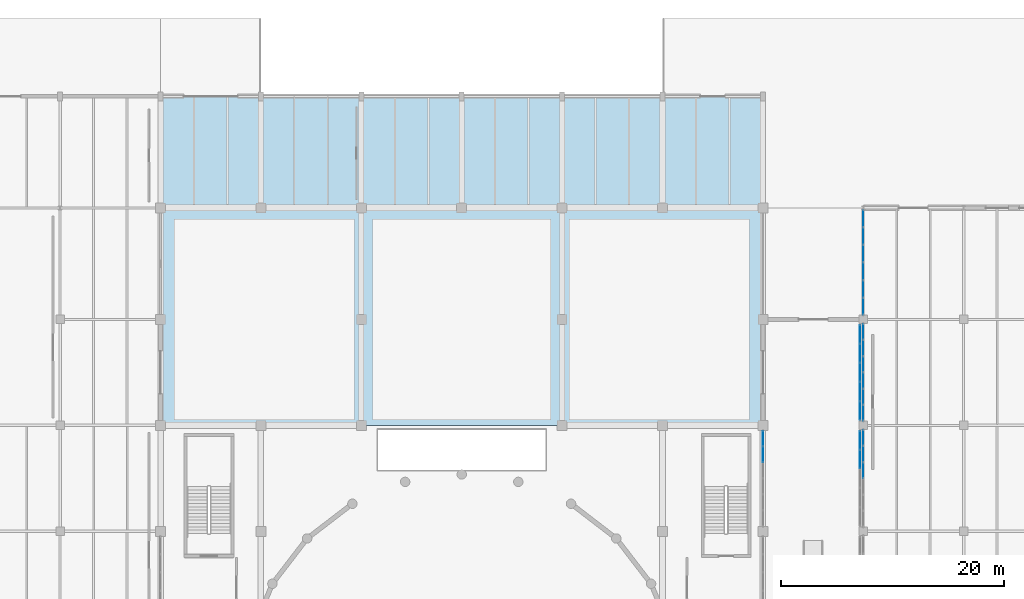
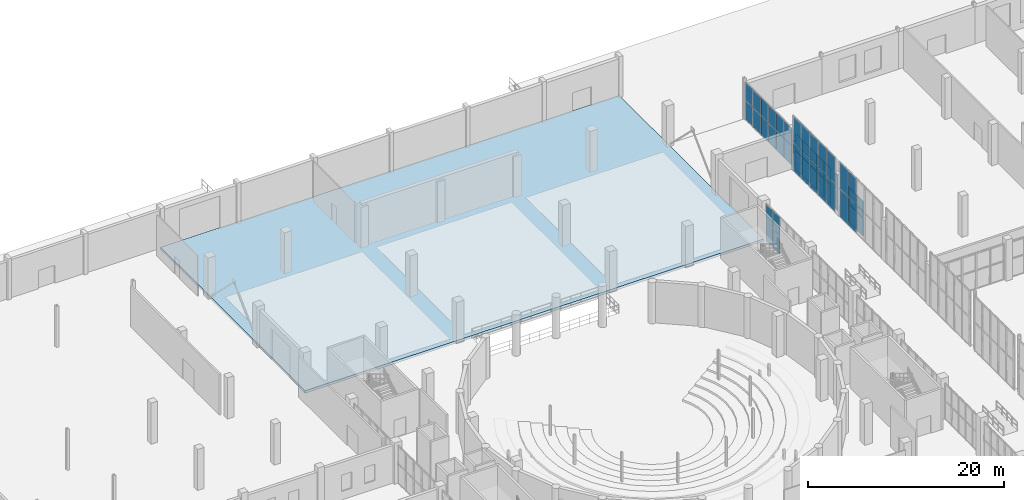
# One storey, part 74 of 103: 48 plates, 1 slab, 6 elements without a shape of their own.
"""IFC4 building model written with IfcOpenShell, lengths in metres."""

from ifc_helpers import new_model, si_unit, direction, frame, origin, origin_2d, place, context, subcontext, project, spatial, polyline, rectangle, outline, extrude, material, layer, layer_set, type_object, element, aggregate, save


model = new_model("IFC4")

# Units and contexts
model_context = context("Model", 3, precision=1e-05, world=origin(), true_north=direction((0.0, 1.0)))
body_context = subcontext(model_context, "Body", "Model", "MODEL_VIEW")
ifc_project = project(units=[si_unit("LENGTHUNIT", "METRE"), si_unit("AREAUNIT", "SQUARE_METRE"), si_unit("VOLUMEUNIT", "CUBIC_METRE"), si_unit("PLANEANGLEUNIT", "RADIAN"), si_unit("MASSUNIT", "GRAM", prefix="KILO")], contexts=[model_context])

# Site, building, storey
site_placement = place(None, origin())
site = spatial("IfcSite", under=ifc_project, at=site_placement, CompositionType="ELEMENT")
building_placement = place(site_placement, origin())
building = spatial("IfcBuilding", under=site, at=building_placement, Name="Marnock Terrace Opera House", CompositionType="ELEMENT")
storey_placement = place(building_placement, origin())
storey = spatial("IfcBuildingStorey", under=building, at=storey_placement, Name="L00", CompositionType="ELEMENT", Elevation=0.0)

# Curtain wall, plates
ifc_material_1 = material(Name="Anodised architectural bronze aluminium framing", Category="aluminium")
ifc_layer_1 = layer(ifc_material_1, 0.159912109375)
ifc_layer_set_1 = layer_set([ifc_layer_1], Name="Anodised architectural bronze aluminium framing")
curtain_wall_type_1 = type_object("IfcCurtainWallType", Name="CW-FOYER-90x51", PredefinedType="NOTDEFINED", material=ifc_layer_set_1)
curtain_wall_1_placement = place(storey_placement, origin())
curtain_wall_1 = element("IfcCurtainWall", 1, at=curtain_wall_1_placement, inside=storey, type_object=curtain_wall_type_1, Name="L00 glazed Beaux-Arts colonnade curtain wall CW-V1E-L00-09", PredefinedType="NOTDEFINED")
ifc_material_2 = material(Name="Double-glazed acoustic low-E laminated glass", Category="glass")
ifc_layer_2 = layer(ifc_material_2, 0.028076171875)
ifc_layer_set_2 = layer_set([ifc_layer_2], Name="Double-glazed acoustic low-E laminated glass")
plate_type = type_object("IfcPlateType", Name="CWP-GLZ-28", PredefinedType="CURTAIN_PANEL", material=ifc_layer_set_2)
plate_1_placement = place(storey_placement, frame((109.0, 81.902099609375, 0.06005859375), z_axis=(0.0, 0.0, 1.0), x_axis=(0.0, 1.0, 0.0)))
plate_1 = element("IfcPlate", 2, at=plate_1_placement, type_object=plate_type, Name="CW-31 panel 5.1", PredefinedType="CURTAIN_PANEL", context=body_context, shape_type="SweptSolid", body=[
    extrude(rectangle(XDim=1.374755859375, YDim=0.028076171875, at=origin_2d()), origin(), (0.0, 0.0, 1.0), 2.371826171875),
])
plate_2_placement = place(storey_placement, frame((109.0, 81.902099609375, 2.491943359375), z_axis=(0.0, 0.0, 1.0), x_axis=(0.0, 1.0, 0.0)))
plate_2 = element("IfcPlate", 3, at=plate_2_placement, type_object=plate_type, Name="CW-31 panel 5.2", PredefinedType="CURTAIN_PANEL", context=body_context, shape_type="SweptSolid", body=[
    extrude(rectangle(XDim=1.374755859375, YDim=0.028076171875, at=origin_2d()), origin(), (0.0, 0.0, 1.0), 2.1826171875),
])
plate_3_placement = place(storey_placement, frame((109.0, 83.32177734375, 0.06005859375), z_axis=(0.0, 0.0, 1.0), x_axis=(0.0, 1.0, 0.0)))
plate_3 = element("IfcPlate", 4, at=plate_3_placement, type_object=plate_type, Name="CW-31 panel 6.1", PredefinedType="CURTAIN_PANEL", context=body_context, shape_type="SweptSolid", body=[
    extrude(rectangle(XDim=1.3447265625, YDim=0.028076171875, at=origin_2d()), origin(), (0.0, 0.0, 1.0), 2.371826171875),
])
plate_4_placement = place(storey_placement, frame((109.0, 83.32177734375, 2.491943359375), z_axis=(0.0, 0.0, 1.0), x_axis=(0.0, 1.0, 0.0)))
plate_4 = element("IfcPlate", 5, at=plate_4_placement, type_object=plate_type, Name="CW-31 panel 6.2", PredefinedType="CURTAIN_PANEL", context=body_context, shape_type="SweptSolid", body=[
    extrude(rectangle(XDim=1.3447265625, YDim=0.028076171875, at=origin_2d()), origin(), (0.0, 0.0, 1.0), 2.1826171875),
])
aggregate(curtain_wall_1, [plate_1, plate_2, plate_3, plate_4])

ifc_layer_3 = layer(ifc_material_1, 0.159912109375)
ifc_layer_set_3 = layer_set([ifc_layer_3], Name="Anodised architectural bronze aluminium framing")
curtain_wall_type_2 = type_object("IfcCurtainWallType", Name="CW-FOYER-95x51", PredefinedType="NOTDEFINED", material=ifc_layer_set_3)
curtain_wall_2_placement = place(storey_placement, origin())
curtain_wall_2 = element("IfcCurtainWall", 6, at=curtain_wall_2_placement, inside=storey, type_object=curtain_wall_type_2, Name="L00 glazed Beaux-Arts colonnade curtain wall CW-V5-L00-W6", PredefinedType="NOTDEFINED")
plate_5_placement = place(storey_placement, frame((118.0, 80.479736328125, 0.06005859375), z_axis=(0.0, 0.0, 1.0), x_axis=(0.0, 1.0, 0.0)))
plate_5 = element("IfcPlate", 7, at=plate_5_placement, type_object=plate_type, Name="CW-24 panel 4.1", PredefinedType="CURTAIN_PANEL", context=body_context, shape_type="SweptSolid", body=[
    extrude(rectangle(XDim=1.399658203125, YDim=0.028076171875, at=origin_2d()), origin(), (0.0, 0.0, 1.0), 2.243896484375),
])
plate_6_placement = place(storey_placement, frame((118.0, 80.479736328125, 2.36376953125), z_axis=(0.0, 0.0, 1.0), x_axis=(0.0, 1.0, 0.0)))
plate_6 = element("IfcPlate", 8, at=plate_6_placement, type_object=plate_type, Name="CW-24 panel 4.2", PredefinedType="CURTAIN_PANEL", context=body_context, shape_type="SweptSolid", body=[
    extrude(rectangle(XDim=1.399658203125, YDim=0.028076171875, at=origin_2d()), origin(), (0.0, 0.0, 1.0), 2.064208984375),
])
plate_7_placement = place(storey_placement, frame((118.0, 81.939453125, 0.06005859375), z_axis=(0.0, 0.0, 1.0), x_axis=(0.0, 1.0, 0.0)))
plate_7 = element("IfcPlate", 9, at=plate_7_placement, type_object=plate_type, Name="CW-24 panel 5.1", PredefinedType="CURTAIN_PANEL", context=body_context, shape_type="SweptSolid", body=[
    extrude(rectangle(XDim=1.399658203125, YDim=0.028076171875, at=origin_2d()), origin(), (0.0, 0.0, 1.0), 2.243896484375),
])
plate_8_placement = place(storey_placement, frame((118.0, 81.939453125, 2.36376953125), z_axis=(0.0, 0.0, 1.0), x_axis=(0.0, 1.0, 0.0)))
plate_8 = element("IfcPlate", 10, at=plate_8_placement, type_object=plate_type, Name="CW-24 panel 5.2", PredefinedType="CURTAIN_PANEL", context=body_context, shape_type="SweptSolid", body=[
    extrude(rectangle(XDim=1.399658203125, YDim=0.028076171875, at=origin_2d()), origin(), (0.0, 0.0, 1.0), 2.064208984375),
])
plate_9_placement = place(storey_placement, frame((118.0, 83.38427734375, 0.06005859375), z_axis=(0.0, 0.0, 1.0), x_axis=(0.0, 1.0, 0.0)))
plate_9 = element("IfcPlate", 11, at=plate_9_placement, type_object=plate_type, Name="CW-24 panel 6.1", PredefinedType="CURTAIN_PANEL", context=body_context, shape_type="SweptSolid", body=[
    extrude(rectangle(XDim=1.36962890625, YDim=0.028076171875, at=origin_2d()), origin(), (0.0, 0.0, 1.0), 2.243896484375),
])
plate_10_placement = place(storey_placement, frame((118.0, 83.38427734375, 2.36376953125), z_axis=(0.0, 0.0, 1.0), x_axis=(0.0, 1.0, 0.0)))
plate_10 = element("IfcPlate", 12, at=plate_10_placement, type_object=plate_type, Name="CW-24 panel 6.2", PredefinedType="CURTAIN_PANEL", context=body_context, shape_type="SweptSolid", body=[
    extrude(rectangle(XDim=1.36962890625, YDim=0.028076171875, at=origin_2d()), origin(), (0.0, 0.0, 1.0), 2.064208984375),
])
aggregate(curtain_wall_2, [plate_5, plate_6, plate_7, plate_8, plate_9, plate_10])

curtain_wall_3_placement = place(storey_placement, origin())
curtain_wall_3 = element("IfcCurtainWall", 13, at=curtain_wall_3_placement, inside=storey, type_object=curtain_wall_type_2, Name="L00 glazed Beaux-Arts colonnade curtain wall CW-V5-L00-W7", PredefinedType="NOTDEFINED")
plate_11_placement = place(storey_placement, frame((118.0, 85.61572265625, 0.06005859375), z_axis=(0.0, 0.0, 1.0), x_axis=(0.0, 1.0, 0.0)))
plate_11 = element("IfcPlate", 14, at=plate_11_placement, type_object=plate_type, Name="CW-24 panel 1.1", PredefinedType="CURTAIN_PANEL", context=body_context, shape_type="SweptSolid", body=[
    extrude(rectangle(XDim=1.36962890625, YDim=0.028076171875, at=origin_2d()), origin(), (0.0, 0.0, 1.0), 2.2822265625),
])
plate_12_placement = place(storey_placement, frame((118.0, 85.61572265625, 2.40234375), z_axis=(0.0, 0.0, 1.0), x_axis=(0.0, 1.0, 0.0)))
plate_12 = element("IfcPlate", 15, at=plate_12_placement, type_object=plate_type, Name="CW-24 panel 1.2", PredefinedType="CURTAIN_PANEL", context=body_context, shape_type="SweptSolid", body=[
    extrude(rectangle(XDim=1.36962890625, YDim=0.028076171875, at=origin_2d()), origin(), (0.0, 0.0, 1.0), 2.099853515625),
])
plate_13_placement = place(storey_placement, frame((118.0, 87.060546875, 0.06005859375), z_axis=(0.0, 0.0, 1.0), x_axis=(0.0, 1.0, 0.0)))
plate_13 = element("IfcPlate", 16, at=plate_13_placement, type_object=plate_type, Name="CW-24 panel 2.1", PredefinedType="CURTAIN_PANEL", context=body_context, shape_type="SweptSolid", body=[
    extrude(rectangle(XDim=1.399658203125, YDim=0.028076171875, at=origin_2d()), origin(), (0.0, 0.0, 1.0), 2.2822265625),
])
plate_14_placement = place(storey_placement, frame((118.0, 87.060546875, 2.40234375), z_axis=(0.0, 0.0, 1.0), x_axis=(0.0, 1.0, 0.0)))
plate_14 = element("IfcPlate", 17, at=plate_14_placement, type_object=plate_type, Name="CW-24 panel 2.2", PredefinedType="CURTAIN_PANEL", context=body_context, shape_type="SweptSolid", body=[
    extrude(rectangle(XDim=1.399658203125, YDim=0.028076171875, at=origin_2d()), origin(), (0.0, 0.0, 1.0), 2.099853515625),
])
plate_15_placement = place(storey_placement, frame((118.0, 88.520263671875, 0.06005859375), z_axis=(0.0, 0.0, 1.0), x_axis=(0.0, 1.0, 0.0)))
plate_15 = element("IfcPlate", 18, at=plate_15_placement, type_object=plate_type, Name="CW-24 panel 3.1", PredefinedType="CURTAIN_PANEL", context=body_context, shape_type="SweptSolid", body=[
    extrude(rectangle(XDim=1.399658203125, YDim=0.028076171875, at=origin_2d()), origin(), (0.0, 0.0, 1.0), 2.2822265625),
])
plate_16_placement = place(storey_placement, frame((118.0, 88.520263671875, 2.40234375), z_axis=(0.0, 0.0, 1.0), x_axis=(0.0, 1.0, 0.0)))
plate_16 = element("IfcPlate", 19, at=plate_16_placement, type_object=plate_type, Name="CW-24 panel 3.2", PredefinedType="CURTAIN_PANEL", context=body_context, shape_type="SweptSolid", body=[
    extrude(rectangle(XDim=1.399658203125, YDim=0.028076171875, at=origin_2d()), origin(), (0.0, 0.0, 1.0), 2.099853515625),
])
plate_17_placement = place(storey_placement, frame((118.0, 89.979736328125, 0.06005859375), z_axis=(0.0, 0.0, 1.0), x_axis=(0.0, 1.0, 0.0)))
plate_17 = element("IfcPlate", 20, at=plate_17_placement, type_object=plate_type, Name="CW-24 panel 4.1", PredefinedType="CURTAIN_PANEL", context=body_context, shape_type="SweptSolid", body=[
    extrude(rectangle(XDim=1.399658203125, YDim=0.028076171875, at=origin_2d()), origin(), (0.0, 0.0, 1.0), 2.2822265625),
])
plate_18_placement = place(storey_placement, frame((118.0, 89.979736328125, 2.40234375), z_axis=(0.0, 0.0, 1.0), x_axis=(0.0, 1.0, 0.0)))
plate_18 = element("IfcPlate", 21, at=plate_18_placement, type_object=plate_type, Name="CW-24 panel 4.2", PredefinedType="CURTAIN_PANEL", context=body_context, shape_type="SweptSolid", body=[
    extrude(rectangle(XDim=1.399658203125, YDim=0.028076171875, at=origin_2d()), origin(), (0.0, 0.0, 1.0), 2.099853515625),
])
plate_19_placement = place(storey_placement, frame((118.0, 91.439453125, 0.06005859375), z_axis=(0.0, 0.0, 1.0), x_axis=(0.0, 1.0, 0.0)))
plate_19 = element("IfcPlate", 22, at=plate_19_placement, type_object=plate_type, Name="CW-24 panel 5.1", PredefinedType="CURTAIN_PANEL", context=body_context, shape_type="SweptSolid", body=[
    extrude(rectangle(XDim=1.399658203125, YDim=0.028076171875, at=origin_2d()), origin(), (0.0, 0.0, 1.0), 2.2822265625),
])
plate_20_placement = place(storey_placement, frame((118.0, 91.439453125, 2.40234375), z_axis=(0.0, 0.0, 1.0), x_axis=(0.0, 1.0, 0.0)))
plate_20 = element("IfcPlate", 23, at=plate_20_placement, type_object=plate_type, Name="CW-24 panel 5.2", PredefinedType="CURTAIN_PANEL", context=body_context, shape_type="SweptSolid", body=[
    extrude(rectangle(XDim=1.399658203125, YDim=0.028076171875, at=origin_2d()), origin(), (0.0, 0.0, 1.0), 2.099853515625),
])
plate_21_placement = place(storey_placement, frame((118.0, 92.88427734375, 0.06005859375), z_axis=(0.0, 0.0, 1.0), x_axis=(0.0, 1.0, 0.0)))
plate_21 = element("IfcPlate", 24, at=plate_21_placement, type_object=plate_type, Name="CW-24 panel 6.1", PredefinedType="CURTAIN_PANEL", context=body_context, shape_type="SweptSolid", body=[
    extrude(rectangle(XDim=1.36962890625, YDim=0.028076171875, at=origin_2d()), origin(), (0.0, 0.0, 1.0), 2.2822265625),
])
plate_22_placement = place(storey_placement, frame((118.0, 92.88427734375, 2.40234375), z_axis=(0.0, 0.0, 1.0), x_axis=(0.0, 1.0, 0.0)))
plate_22 = element("IfcPlate", 25, at=plate_22_placement, type_object=plate_type, Name="CW-24 panel 6.2", PredefinedType="CURTAIN_PANEL", context=body_context, shape_type="SweptSolid", body=[
    extrude(rectangle(XDim=1.36962890625, YDim=0.028076171875, at=origin_2d()), origin(), (0.0, 0.0, 1.0), 2.099853515625),
])
aggregate(curtain_wall_3, [plate_11, plate_12, plate_13, plate_14, plate_15, plate_16, plate_17, plate_18, plate_19, plate_20, plate_21, plate_22])

curtain_wall_4_placement = place(storey_placement, origin())
curtain_wall_4 = element("IfcCurtainWall", 26, at=curtain_wall_4_placement, inside=storey, type_object=curtain_wall_type_2, Name="L00 glazed Beaux-Arts colonnade curtain wall CW-V5-L00-W8", PredefinedType="NOTDEFINED")
plate_23_placement = place(storey_placement, frame((118.0, 95.175048828125, 0.06005859375), z_axis=(0.0, 0.0, 1.0), x_axis=(0.0, 1.0, 0.0)))
plate_23 = element("IfcPlate", 27, at=plate_23_placement, type_object=plate_type, Name="CW-24 panel 1.1", PredefinedType="CURTAIN_PANEL", context=body_context, shape_type="SweptSolid", body=[
    extrude(rectangle(XDim=1.48828125, YDim=0.028076171875, at=origin_2d()), origin(), (0.0, 0.0, 1.0), 2.371826171875),
])
plate_24_placement = place(storey_placement, frame((118.0, 95.175048828125, 2.491943359375), z_axis=(0.0, 0.0, 1.0), x_axis=(0.0, 1.0, 0.0)))
plate_24 = element("IfcPlate", 28, at=plate_24_placement, type_object=plate_type, Name="CW-24 panel 1.2", PredefinedType="CURTAIN_PANEL", context=body_context, shape_type="SweptSolid", body=[
    extrude(rectangle(XDim=1.48828125, YDim=0.028076171875, at=origin_2d()), origin(), (0.0, 0.0, 1.0), 2.1826171875),
])
plate_25_placement = place(storey_placement, frame((118.0, 96.73828125, 0.06005859375), z_axis=(0.0, 0.0, 1.0), x_axis=(0.0, 1.0, 0.0)))
plate_25 = element("IfcPlate", 29, at=plate_25_placement, type_object=plate_type, Name="CW-24 panel 2.1", PredefinedType="CURTAIN_PANEL", context=body_context, shape_type="SweptSolid", body=[
    extrude(rectangle(XDim=1.518310546875, YDim=0.028076171875, at=origin_2d()), origin(), (0.0, 0.0, 1.0), 2.371826171875),
])
plate_26_placement = place(storey_placement, frame((118.0, 96.73828125, 2.491943359375), z_axis=(0.0, 0.0, 1.0), x_axis=(0.0, 1.0, 0.0)))
plate_26 = element("IfcPlate", 30, at=plate_26_placement, type_object=plate_type, Name="CW-24 panel 2.2", PredefinedType="CURTAIN_PANEL", context=body_context, shape_type="SweptSolid", body=[
    extrude(rectangle(XDim=1.518310546875, YDim=0.028076171875, at=origin_2d()), origin(), (0.0, 0.0, 1.0), 2.1826171875),
])
plate_27_placement = place(storey_placement, frame((118.0, 98.316650390625, 0.06005859375), z_axis=(0.0, 0.0, 1.0), x_axis=(0.0, 1.0, 0.0)))
plate_27 = element("IfcPlate", 31, at=plate_27_placement, type_object=plate_type, Name="CW-24 panel 3.1", PredefinedType="CURTAIN_PANEL", context=body_context, shape_type="SweptSolid", body=[
    extrude(rectangle(XDim=1.518310546875, YDim=0.028076171875, at=origin_2d()), origin(), (0.0, 0.0, 1.0), 2.371826171875),
])
plate_28_placement = place(storey_placement, frame((118.0, 98.316650390625, 2.491943359375), z_axis=(0.0, 0.0, 1.0), x_axis=(0.0, 1.0, 0.0)))
plate_28 = element("IfcPlate", 32, at=plate_28_placement, type_object=plate_type, Name="CW-24 panel 3.2", PredefinedType="CURTAIN_PANEL", context=body_context, shape_type="SweptSolid", body=[
    extrude(rectangle(XDim=1.518310546875, YDim=0.028076171875, at=origin_2d()), origin(), (0.0, 0.0, 1.0), 2.1826171875),
])
plate_29_placement = place(storey_placement, frame((118.0, 99.894775390625, 0.06005859375), z_axis=(0.0, 0.0, 1.0), x_axis=(0.0, 1.0, 0.0)))
plate_29 = element("IfcPlate", 33, at=plate_29_placement, type_object=plate_type, Name="CW-24 panel 4.1", PredefinedType="CURTAIN_PANEL", context=body_context, shape_type="SweptSolid", body=[
    extrude(rectangle(XDim=1.518310546875, YDim=0.028076171875, at=origin_2d()), origin(), (0.0, 0.0, 1.0), 2.371826171875),
])
plate_30_placement = place(storey_placement, frame((118.0, 99.894775390625, 2.491943359375), z_axis=(0.0, 0.0, 1.0), x_axis=(0.0, 1.0, 0.0)))
plate_30 = element("IfcPlate", 34, at=plate_30_placement, type_object=plate_type, Name="CW-24 panel 4.2", PredefinedType="CURTAIN_PANEL", context=body_context, shape_type="SweptSolid", body=[
    extrude(rectangle(XDim=1.518310546875, YDim=0.028076171875, at=origin_2d()), origin(), (0.0, 0.0, 1.0), 2.1826171875),
])
plate_31_placement = place(storey_placement, frame((118.0, 101.47314453125, 0.06005859375), z_axis=(0.0, 0.0, 1.0), x_axis=(0.0, 1.0, 0.0)))
plate_31 = element("IfcPlate", 35, at=plate_31_placement, type_object=plate_type, Name="CW-24 panel 5.1", PredefinedType="CURTAIN_PANEL", context=body_context, shape_type="SweptSolid", body=[
    extrude(rectangle(XDim=1.518310546875, YDim=0.028076171875, at=origin_2d()), origin(), (0.0, 0.0, 1.0), 2.371826171875),
])
plate_32_placement = place(storey_placement, frame((118.0, 101.47314453125, 2.491943359375), z_axis=(0.0, 0.0, 1.0), x_axis=(0.0, 1.0, 0.0)))
plate_32 = element("IfcPlate", 36, at=plate_32_placement, type_object=plate_type, Name="CW-24 panel 5.2", PredefinedType="CURTAIN_PANEL", context=body_context, shape_type="SweptSolid", body=[
    extrude(rectangle(XDim=1.518310546875, YDim=0.028076171875, at=origin_2d()), origin(), (0.0, 0.0, 1.0), 2.1826171875),
])
plate_33_placement = place(storey_placement, frame((118.0, 103.036376953125, 0.06005859375), z_axis=(0.0, 0.0, 1.0), x_axis=(0.0, 1.0, 0.0)))
plate_33 = element("IfcPlate", 37, at=plate_33_placement, type_object=plate_type, Name="CW-24 panel 6.1", PredefinedType="CURTAIN_PANEL", context=body_context, shape_type="SweptSolid", body=[
    extrude(rectangle(XDim=1.48828125, YDim=0.028076171875, at=origin_2d()), origin(), (0.0, 0.0, 1.0), 2.371826171875),
])
plate_34_placement = place(storey_placement, frame((118.0, 103.036376953125, 2.491943359375), z_axis=(0.0, 0.0, 1.0), x_axis=(0.0, 1.0, 0.0)))
plate_34 = element("IfcPlate", 38, at=plate_34_placement, type_object=plate_type, Name="CW-24 panel 6.2", PredefinedType="CURTAIN_PANEL", context=body_context, shape_type="SweptSolid", body=[
    extrude(rectangle(XDim=1.48828125, YDim=0.028076171875, at=origin_2d()), origin(), (0.0, 0.0, 1.0), 2.1826171875),
])
aggregate(curtain_wall_4, [plate_23, plate_24, plate_25, plate_26, plate_27, plate_28, plate_29, plate_30, plate_31, plate_32, plate_33, plate_34])

ifc_layer_4 = layer(ifc_material_1, 0.159912109375)
ifc_layer_set_4 = layer_set([ifc_layer_4], Name="Anodised architectural bronze aluminium framing")
curtain_wall_type_3 = type_object("IfcCurtainWallType", Name="CW-PASSAGE-81x68", PredefinedType="NOTDEFINED", material=ifc_layer_set_4)
curtain_wall_5_placement = place(storey_placement, origin())
curtain_wall_5 = element("IfcCurtainWall", 39, at=curtain_wall_5_placement, inside=storey, type_object=curtain_wall_type_3, Name="L00 glazed Beaux-Arts colonnade curtain wall CW-PASSAGE-L00-09", PredefinedType="NOTDEFINED")
plate_35_placement = place(storey_placement, frame((117.699951171875, 81.469970703125, 0.06005859375), z_axis=(0.0, 0.0, 1.0), x_axis=(0.0, 1.0, 0.0)))
plate_35 = element("IfcPlate", 40, at=plate_35_placement, type_object=plate_type, Name="CW-65 panel 4.1", PredefinedType="CURTAIN_PANEL", context=body_context, shape_type="SweptSolid", body=[
    extrude(rectangle(XDim=1.659912109375, YDim=0.028076171875, at=origin_2d()), origin(), (0.0, 0.0, 1.0), 3.471923828125),
])
plate_36_placement = place(storey_placement, frame((117.699951171875, 81.469970703125, 3.591796875), z_axis=(0.0, 0.0, 1.0), x_axis=(0.0, 1.0, 0.0)))
plate_36 = element("IfcPlate", 41, at=plate_36_placement, type_object=plate_type, Name="CW-65 panel 4.2", PredefinedType="CURTAIN_PANEL", context=body_context, shape_type="SweptSolid", body=[
    extrude(rectangle(XDim=1.659912109375, YDim=0.028076171875, at=origin_2d()), origin(), (0.0, 0.0, 1.0), 3.197998046875),
])
plate_37_placement = place(storey_placement, frame((117.699951171875, 83.175048828125, 0.06005859375), z_axis=(0.0, 0.0, 1.0), x_axis=(0.0, 1.0, 0.0)))
plate_37 = element("IfcPlate", 42, at=plate_37_placement, type_object=plate_type, Name="CW-65 panel 5.1", PredefinedType="CURTAIN_PANEL", context=body_context, shape_type="SweptSolid", body=[
    extrude(rectangle(XDim=1.6298828125, YDim=0.028076171875, at=origin_2d()), origin(), (0.0, 0.0, 1.0), 3.471923828125),
])
plate_38_placement = place(storey_placement, frame((117.699951171875, 83.175048828125, 3.591796875), z_axis=(0.0, 0.0, 1.0), x_axis=(0.0, 1.0, 0.0)))
plate_38 = element("IfcPlate", 43, at=plate_38_placement, type_object=plate_type, Name="CW-65 panel 5.2", PredefinedType="CURTAIN_PANEL", context=body_context, shape_type="SweptSolid", body=[
    extrude(rectangle(XDim=1.6298828125, YDim=0.028076171875, at=origin_2d()), origin(), (0.0, 0.0, 1.0), 3.197998046875),
])
aggregate(curtain_wall_5, [plate_35, plate_36, plate_37, plate_38])

curtain_wall_6_placement = place(storey_placement, origin())
curtain_wall_6 = element("IfcCurtainWall", 44, at=curtain_wall_6_placement, inside=storey, type_object=curtain_wall_type_3, Name="L00 glazed Beaux-Arts colonnade curtain wall CW-PASSAGE-L00-10", PredefinedType="NOTDEFINED")
plate_39_placement = place(storey_placement, frame((117.699951171875, 85.824951171875, 0.06005859375), z_axis=(0.0, 0.0, 1.0), x_axis=(0.0, 1.0, 0.0)))
plate_39 = element("IfcPlate", 45, at=plate_39_placement, type_object=plate_type, Name="CW-65 panel 1.1", PredefinedType="CURTAIN_PANEL", context=body_context, shape_type="SweptSolid", body=[
    extrude(rectangle(XDim=1.6298828125, YDim=0.028076171875, at=origin_2d()), origin(), (0.0, 0.0, 1.0), 3.471923828125),
])
plate_40_placement = place(storey_placement, frame((117.699951171875, 85.824951171875, 3.591796875), z_axis=(0.0, 0.0, 1.0), x_axis=(0.0, 1.0, 0.0)))
plate_40 = element("IfcPlate", 46, at=plate_40_placement, type_object=plate_type, Name="CW-65 panel 1.2", PredefinedType="CURTAIN_PANEL", context=body_context, shape_type="SweptSolid", body=[
    extrude(rectangle(XDim=1.6298828125, YDim=0.028076171875, at=origin_2d()), origin(), (0.0, 0.0, 1.0), 3.197998046875),
])
plate_41_placement = place(storey_placement, frame((117.699951171875, 87.530029296875, 0.06005859375), z_axis=(0.0, 0.0, 1.0), x_axis=(0.0, 1.0, 0.0)))
plate_41 = element("IfcPlate", 47, at=plate_41_placement, type_object=plate_type, Name="CW-65 panel 2.1", PredefinedType="CURTAIN_PANEL", context=body_context, shape_type="SweptSolid", body=[
    extrude(rectangle(XDim=1.659912109375, YDim=0.028076171875, at=origin_2d()), origin(), (0.0, 0.0, 1.0), 3.471923828125),
])
plate_42_placement = place(storey_placement, frame((117.699951171875, 87.530029296875, 3.591796875), z_axis=(0.0, 0.0, 1.0), x_axis=(0.0, 1.0, 0.0)))
plate_42 = element("IfcPlate", 48, at=plate_42_placement, type_object=plate_type, Name="CW-65 panel 2.2", PredefinedType="CURTAIN_PANEL", context=body_context, shape_type="SweptSolid", body=[
    extrude(rectangle(XDim=1.659912109375, YDim=0.028076171875, at=origin_2d()), origin(), (0.0, 0.0, 1.0), 3.197998046875),
])
plate_43_placement = place(storey_placement, frame((117.699951171875, 89.25, 0.06005859375), z_axis=(0.0, 0.0, 1.0), x_axis=(0.0, 1.0, 0.0)))
plate_43 = element("IfcPlate", 49, at=plate_43_placement, type_object=plate_type, Name="CW-65 panel 3.1", PredefinedType="CURTAIN_PANEL", context=body_context, shape_type="SweptSolid", body=[
    extrude(rectangle(XDim=1.659912109375, YDim=0.028076171875, at=origin_2d()), origin(), (0.0, 0.0, 1.0), 3.471923828125),
])
plate_44_placement = place(storey_placement, frame((117.699951171875, 89.25, 3.591796875), z_axis=(0.0, 0.0, 1.0), x_axis=(0.0, 1.0, 0.0)))
plate_44 = element("IfcPlate", 50, at=plate_44_placement, type_object=plate_type, Name="CW-65 panel 3.2", PredefinedType="CURTAIN_PANEL", context=body_context, shape_type="SweptSolid", body=[
    extrude(rectangle(XDim=1.659912109375, YDim=0.028076171875, at=origin_2d()), origin(), (0.0, 0.0, 1.0), 3.197998046875),
])
plate_45_placement = place(storey_placement, frame((117.699951171875, 90.969970703125, 0.06005859375), z_axis=(0.0, 0.0, 1.0), x_axis=(0.0, 1.0, 0.0)))
plate_45 = element("IfcPlate", 51, at=plate_45_placement, type_object=plate_type, Name="CW-65 panel 4.1", PredefinedType="CURTAIN_PANEL", context=body_context, shape_type="SweptSolid", body=[
    extrude(rectangle(XDim=1.659912109375, YDim=0.028076171875, at=origin_2d()), origin(), (0.0, 0.0, 1.0), 3.471923828125),
])
plate_46_placement = place(storey_placement, frame((117.699951171875, 90.969970703125, 3.591796875), z_axis=(0.0, 0.0, 1.0), x_axis=(0.0, 1.0, 0.0)))
plate_46 = element("IfcPlate", 52, at=plate_46_placement, type_object=plate_type, Name="CW-65 panel 4.2", PredefinedType="CURTAIN_PANEL", context=body_context, shape_type="SweptSolid", body=[
    extrude(rectangle(XDim=1.659912109375, YDim=0.028076171875, at=origin_2d()), origin(), (0.0, 0.0, 1.0), 3.197998046875),
])
plate_47_placement = place(storey_placement, frame((117.699951171875, 92.675048828125, 0.06005859375), z_axis=(0.0, 0.0, 1.0), x_axis=(0.0, 1.0, 0.0)))
plate_47 = element("IfcPlate", 53, at=plate_47_placement, type_object=plate_type, Name="CW-65 panel 5.1", PredefinedType="CURTAIN_PANEL", context=body_context, shape_type="SweptSolid", body=[
    extrude(rectangle(XDim=1.6298828125, YDim=0.028076171875, at=origin_2d()), origin(), (0.0, 0.0, 1.0), 3.471923828125),
])
plate_48_placement = place(storey_placement, frame((117.699951171875, 92.675048828125, 3.591796875), z_axis=(0.0, 0.0, 1.0), x_axis=(0.0, 1.0, 0.0)))
plate_48 = element("IfcPlate", 54, at=plate_48_placement, type_object=plate_type, Name="CW-65 panel 5.2", PredefinedType="CURTAIN_PANEL", context=body_context, shape_type="SweptSolid", body=[
    extrude(rectangle(XDim=1.6298828125, YDim=0.028076171875, at=origin_2d()), origin(), (0.0, 0.0, 1.0), 3.197998046875),
])
aggregate(curtain_wall_6, [plate_39, plate_40, plate_41, plate_42, plate_43, plate_44, plate_45, plate_46, plate_47, plate_48])

# Slab
ifc_material_3 = material(Name="Concrete N40 (f'c = 40 MPa)", Category="concrete")
ifc_layer_5 = layer(ifc_material_3, 0.300048828125)
ifc_layer_set_5 = layer_set([ifc_layer_5], Name="Concrete N40 (f'c = 40 MPa)")
slab_type = type_object("IfcSlabType", Name="SL-FLR-300", PredefinedType="FLOOR", material=ifc_layer_set_5)
slab_placement = place(storey_placement, frame((0.0, 0.0, -0.300048828125)))
element("IfcSlab", 55, at=slab_placement, inside=storey, type_object=slab_type, Name="L00 Stage House structural slab", PredefinedType="FLOOR", context=body_context, shape_type="SweptSolid", body=[
    extrude(outline(polyline([(55.0, 84.5), (109.0, 84.5), (109.0, 114.0), (55.0, 114.0), (55.0, 84.5)])), origin(), (0.0, 0.0, 1.0), 0.300048828125),
])

save(model, "model.ifc")
